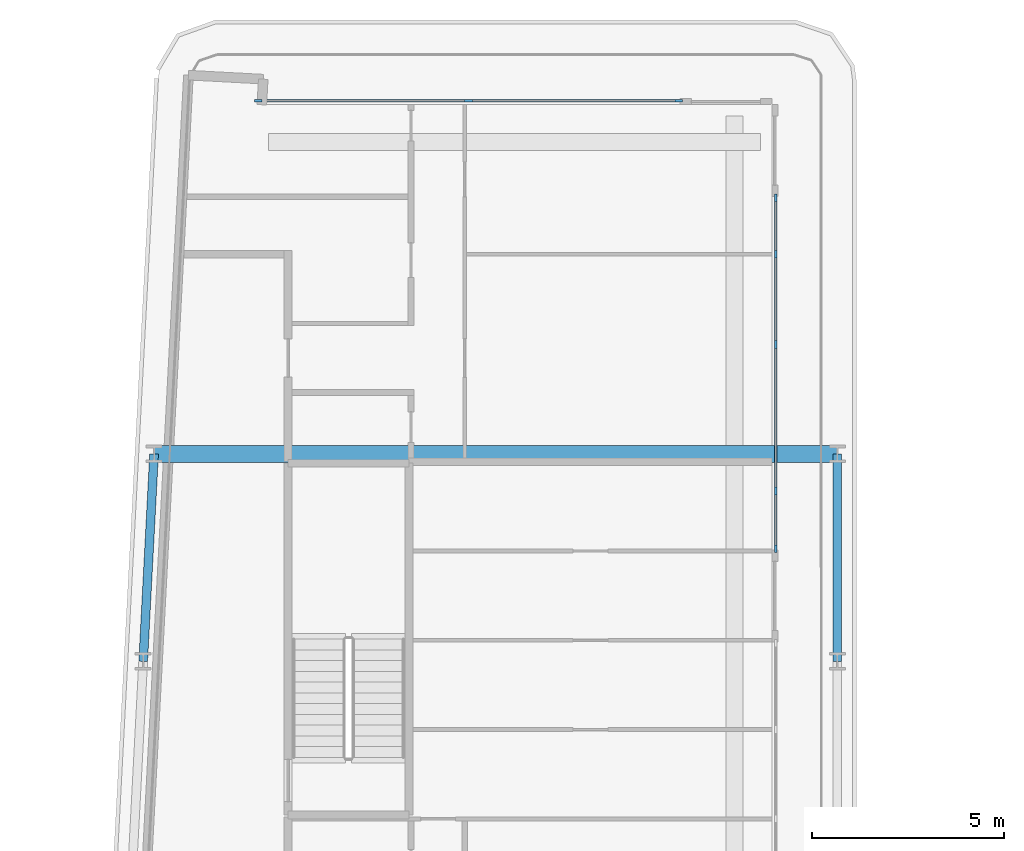
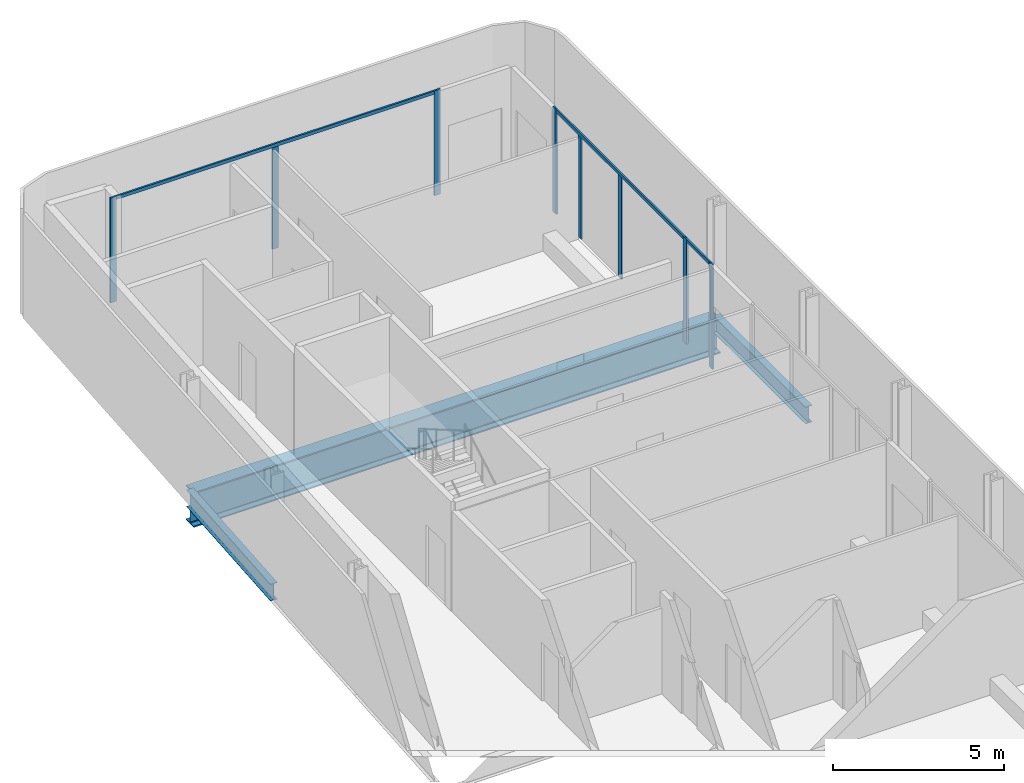
# One storey, part 9 of 28: 11 members, 3 beams, 3 elements without a shape of their own.
"""IFC4 building model written with IfcOpenShell, lengths in metres."""

from ifc_helpers import new_model, si_unit, direction, frame, origin, origin_2d, place, context, subcontext, project, spatial, rectangle, i_section, extrude, material, layer, layer_set, material_profile, profile_set, type_object, element, aggregate, save


model = new_model("IFC4")

# Units and contexts
model_context = context("Model", 3, precision=1e-05, world=origin(), true_north=direction((0.0, 1.0)))
body_context = subcontext(model_context, "Body", "Model", "MODEL_VIEW")
ifc_project = project(units=[si_unit("LENGTHUNIT", "METRE"), si_unit("AREAUNIT", "SQUARE_METRE"), si_unit("VOLUMEUNIT", "CUBIC_METRE"), si_unit("PLANEANGLEUNIT", "RADIAN"), si_unit("MASSUNIT", "GRAM", prefix="KILO")], contexts=[model_context])

# Site, building, storey
site_placement = place(None, origin())
site = spatial("IfcSite", under=ifc_project, at=site_placement, CompositionType="ELEMENT")
building_placement = place(site_placement, origin())
building = spatial("IfcBuilding", under=site, at=building_placement, Name="Kheshtan School and Residences Tower", CompositionType="ELEMENT")
storey_placement = place(building_placement, frame((0.0, 0.0, 140.89990234375)))
storey = spatial("IfcBuildingStorey", under=building, at=storey_placement, Name="L33", CompositionType="ELEMENT", Elevation=140.89990234375)

# Beams
ifc_material_1 = material(Name="Steel ASTM A992 Grade 50", Category="steel")
ifc_material_profile_1 = material_profile(ifc_material_1, i_section(OverallWidth=0.22802734375, OverallDepth=0.60302734375, WebThickness=0.010498046875, FlangeThickness=0.014892578125, FilletRadius=0.013427734375, at=origin_2d()), Name="W610x101")
ifc_profile_set_1 = profile_set([ifc_material_profile_1], Name="Steel ASTM A992 Grade 50")
beam_type_1 = type_object("IfcBeamType", Name="Beam SP2 W610x101 ASTM A992 Grade 50", PredefinedType="BEAM", material=ifc_profile_set_1)
beam_1_placement = place(storey_placement, frame((47.60009765625, 88.800048828125, -0.451416015625), z_axis=(0.0, -1.0, 0.0), x_axis=(1.0, 0.0, 0.0)))
element("IfcBeam", 1, at=beam_1_placement, inside=storey, type_object=beam_type_1, Name="Spandrel beam C099-C091", PredefinedType="BEAM", context=body_context, shape_type="SweptSolid", body=[
    extrude(i_section(OverallWidth=0.22802734375, OverallDepth=0.60302734375, WebThickness=0.010498046875, FlangeThickness=0.014892578125, FilletRadius=0.013427734375, at=origin_2d()), origin(), (0.0, 0.0, 1.0), 5.400146484375),
])
beam_2_placement = place(storey_placement, frame((29.527099609375, 83.39990234375, -0.451416015625), z_axis=(0.05250670125, 0.998620571751, 0.0), x_axis=(-0.998620571751, 0.05250670125, 0.0)))
element("IfcBeam", 2, at=beam_2_placement, inside=storey, type_object=beam_type_1, Name="Spandrel beam C090-C098", PredefinedType="BEAM", context=body_context, shape_type="SweptSolid", body=[
    extrude(i_section(OverallWidth=0.22802734375, OverallDepth=0.60302734375, WebThickness=0.010498046875, FlangeThickness=0.014892578125, FilletRadius=0.013427734375, at=origin_2d()), origin(), (0.0, 0.0, 1.0), 5.40771484375),
])

# Curtain wall, members
ifc_material_2 = material(Name="Clear low-e glass in thermally broken aluminium frame", Category="aluminium")
ifc_layer = layer(ifc_material_2, 0.199951171875)
ifc_layer_set = layer_set([ifc_layer], Name="Curtain wall CW-L")
curtain_wall_type = type_object("IfcCurtainWallType", Name="Curtain wall CW-L", PredefinedType="NOTDEFINED", material=ifc_layer_set)
curtain_wall_1_placement = place(storey_placement, origin())
curtain_wall_1 = element("IfcCurtainWall", 3, at=curtain_wall_1_placement, inside=storey, type_object=curtain_wall_type, Name="Curtain wall CWL7", PredefinedType="NOTDEFINED")
ifc_material_3 = material(Name="Thermally broken aluminium, dark bronze anodised", Category="aluminium")
ifc_material_profile_2 = material_profile(ifc_material_3, rectangle(XDim=0.06005859375, YDim=0.199951171875, at=origin_2d()), Name="CW-L mullion 60x200")
ifc_profile_set_2 = profile_set([ifc_material_profile_2], Name="Thermally broken aluminium, dark bronze anodised")
member_type_1 = type_object("IfcMemberType", Name="CW-L mullion 60x200", PredefinedType="MULLION", material=ifc_profile_set_2)
member_1_placement = place(storey_placement, frame((32.52197265625, 98.0, 0.0), z_axis=(0.0, 0.0, 1.0), x_axis=(0.0, 1.0, 0.0)))
member_1 = element("IfcMember", 4, at=member_1_placement, type_object=member_type_1, Name="CWL7 mullion 1", PredefinedType="MULLION", context=body_context, shape_type="SweptSolid", body=[
    extrude(rectangle(XDim=0.06005859375, YDim=0.199951171875, at=origin_2d()), origin(), (0.0, 0.0, 1.0), 3.75),
])
member_2_placement = place(storey_placement, frame((37.99609375, 98.0, 0.0), z_axis=(0.0, 0.0, 1.0), x_axis=(0.0, 1.0, 0.0)))
member_2 = element("IfcMember", 5, at=member_2_placement, type_object=member_type_1, Name="CWL7 mullion 2", PredefinedType="MULLION", context=body_context, shape_type="SweptSolid", body=[
    extrude(rectangle(XDim=0.06005859375, YDim=0.199951171875, at=origin_2d()), origin(), (0.0, 0.0, 1.0), 3.630126953125),
])
member_3_placement = place(storey_placement, frame((43.469970703125, 98.0, 0.0), z_axis=(0.0, 0.0, 1.0), x_axis=(0.0, 1.0, 0.0)))
member_3 = element("IfcMember", 6, at=member_3_placement, type_object=member_type_1, Name="CWL7 mullion 3", PredefinedType="MULLION", context=body_context, shape_type="SweptSolid", body=[
    extrude(rectangle(XDim=0.06005859375, YDim=0.199951171875, at=origin_2d()), origin(), (0.0, 0.0, 1.0), 3.75),
])

curtain_wall_2_placement = place(storey_placement, origin())
curtain_wall_2 = element("IfcCurtainWall", 7, at=curtain_wall_2_placement, inside=storey, type_object=curtain_wall_type, Name="Curtain wall CWL8c", PredefinedType="NOTDEFINED")
member_4_placement = place(storey_placement, frame((46.0, 95.469970703125, 0.0), z_axis=(0.0, 0.0, 1.0), x_axis=(1.0, 0.0, 0.0)))
member_4 = element("IfcMember", 8, at=member_4_placement, type_object=member_type_1, Name="CWL8c mullion 1", PredefinedType="MULLION", context=body_context, shape_type="SweptSolid", body=[
    extrude(rectangle(XDim=0.06005859375, YDim=0.199951171875, at=origin_2d()), origin(), (0.0, 0.0, 1.0), 3.75),
])
member_5_placement = place(storey_placement, frame((46.0, 94.0, 0.0), z_axis=(0.0, 0.0, 1.0), x_axis=(1.0, 0.0, 0.0)))
member_5 = element("IfcMember", 9, at=member_5_placement, type_object=member_type_1, Name="CWL8c mullion 2", PredefinedType="MULLION", context=body_context, shape_type="SweptSolid", body=[
    extrude(rectangle(XDim=0.06005859375, YDim=0.199951171875, at=origin_2d()), origin(), (0.0, 0.0, 1.0), 3.630126953125),
])
member_6_placement = place(storey_placement, frame((46.0, 91.653076171875, 0.0), z_axis=(0.0, 0.0, 1.0), x_axis=(1.0, 0.0, 0.0)))
member_6 = element("IfcMember", 10, at=member_6_placement, type_object=member_type_1, Name="CWL8c mullion 3", PredefinedType="MULLION", context=body_context, shape_type="SweptSolid", body=[
    extrude(rectangle(XDim=0.06005859375, YDim=0.199951171875, at=origin_2d()), origin(), (0.0, 0.0, 1.0), 3.630126953125),
])
member_7_placement = place(storey_placement, frame((46.0, 87.8359375, 0.0), z_axis=(0.0, 0.0, 1.0), x_axis=(1.0, 0.0, 0.0)))
member_7 = element("IfcMember", 11, at=member_7_placement, type_object=member_type_1, Name="CWL8c mullion 4", PredefinedType="MULLION", context=body_context, shape_type="SweptSolid", body=[
    extrude(rectangle(XDim=0.06005859375, YDim=0.199951171875, at=origin_2d()), origin(), (0.0, 0.0, 1.0), 3.75),
])

# Curtain wall, member
curtain_wall_3_placement = place(storey_placement, origin())
curtain_wall_3 = element("IfcCurtainWall", 12, at=curtain_wall_3_placement, inside=storey, type_object=curtain_wall_type, Name="Curtain wall CWL8a", PredefinedType="NOTDEFINED")
member_8_placement = place(storey_placement, frame((46.0, 86.3359375, 0.0), z_axis=(0.0, 0.0, 1.0), x_axis=(1.0, 0.0, 0.0)))
member_8 = element("IfcMember", 13, at=member_8_placement, type_object=member_type_1, Name="CWL8a mullion 2", PredefinedType="MULLION", context=body_context, shape_type="SweptSolid", body=[
    extrude(rectangle(XDim=0.06005859375, YDim=0.199951171875, at=origin_2d()), origin(), (0.0, 0.0, 1.0), 3.75),
])

# Member
ifc_material_profile_3 = material_profile(ifc_material_3, rectangle(XDim=0.06005859375, YDim=0.1201171875, at=origin_2d()), Name="CW-L transom 60x120")
ifc_profile_set_3 = profile_set([ifc_material_profile_3], Name="Thermally broken aluminium, dark bronze anodised")
member_type_2 = type_object("IfcMemberType", Name="CW-L transom 60x120", PredefinedType="USERDEFINED", material=ifc_profile_set_3)
member_9_placement = place(storey_placement, frame((32.552001953125, 98.0, 3.690185546875), z_axis=(1.0, 0.0, 0.0), x_axis=(0.0, 1.0, 0.0)))
member_9 = element("IfcMember", 14, at=member_9_placement, type_object=member_type_2, Name="CWL7 transom 1", ObjectType="TRANSOM", PredefinedType="USERDEFINED", context=body_context, shape_type="SweptSolid", body=[
    extrude(rectangle(XDim=0.06005859375, YDim=0.1201171875, at=origin_2d()), origin(), (0.0, 0.0, 1.0), 10.887939453125),
])

aggregate(curtain_wall_1, [member_1, member_2, member_3, member_9])

member_10_placement = place(storey_placement, frame((46.0, 95.43994140625, 3.690185546875), z_axis=(0.0, -1.0, 0.0), x_axis=(1.0, 0.0, 0.0)))
member_10 = element("IfcMember", 15, at=member_10_placement, type_object=member_type_2, Name="CWL8c transom 1", ObjectType="TRANSOM", PredefinedType="USERDEFINED", context=body_context, shape_type="SweptSolid", body=[
    extrude(rectangle(XDim=0.06005859375, YDim=0.1201171875, at=origin_2d()), origin(), (0.0, 0.0, 1.0), 7.573974609375),
])

aggregate(curtain_wall_2, [member_4, member_5, member_6, member_7, member_10])

member_11_placement = place(storey_placement, frame((46.0, 87.805908203125, 3.690185546875), z_axis=(0.0, -1.0, 0.0), x_axis=(1.0, 0.0, 0.0)))
member_11 = element("IfcMember", 16, at=member_11_placement, type_object=member_type_2, Name="CWL8a transom 1", ObjectType="TRANSOM", PredefinedType="USERDEFINED", context=body_context, shape_type="SweptSolid", body=[
    extrude(rectangle(XDim=0.06005859375, YDim=0.1201171875, at=origin_2d()), origin(), (0.0, 0.0, 1.0), 1.43994140625),
])

aggregate(curtain_wall_3, [member_8, member_11])

# Beam
ifc_material_profile_4 = material_profile(ifc_material_1, i_section(OverallWidth=0.449951171875, OverallDepth=1.25, WebThickness=0.02490234375, FlangeThickness=0.044921875, FilletRadius=0.03759765625, at=origin_2d()), Name="WWF1250x546")
ifc_profile_set_4 = profile_set([ifc_material_profile_4], Name="Steel ASTM A992 Grade 50")
beam_type_2 = type_object("IfcBeamType", Name="Transfer girder TG4 WWF1250x546 ASTM A992 Grade 50", PredefinedType="BEAM", material=ifc_profile_set_4)
beam_3_placement = place(storey_placement, frame((29.81103515625, 88.800048828125, -0.77490234375), z_axis=(1.0, 0.0, 0.0), x_axis=(0.0, 1.0, 0.0)))
element("IfcBeam", 17, at=beam_3_placement, inside=storey, type_object=beam_type_2, Name="Transfer girder C098-C099", PredefinedType="BEAM", context=body_context, shape_type="SweptSolid", body=[
    extrude(i_section(OverallWidth=0.449951171875, OverallDepth=1.25, WebThickness=0.02490234375, FlangeThickness=0.044921875, FilletRadius=0.03759765625, at=origin_2d()), origin(), (0.0, 0.0, 1.0), 17.7890625),
])

save(model, "model.ifc")
